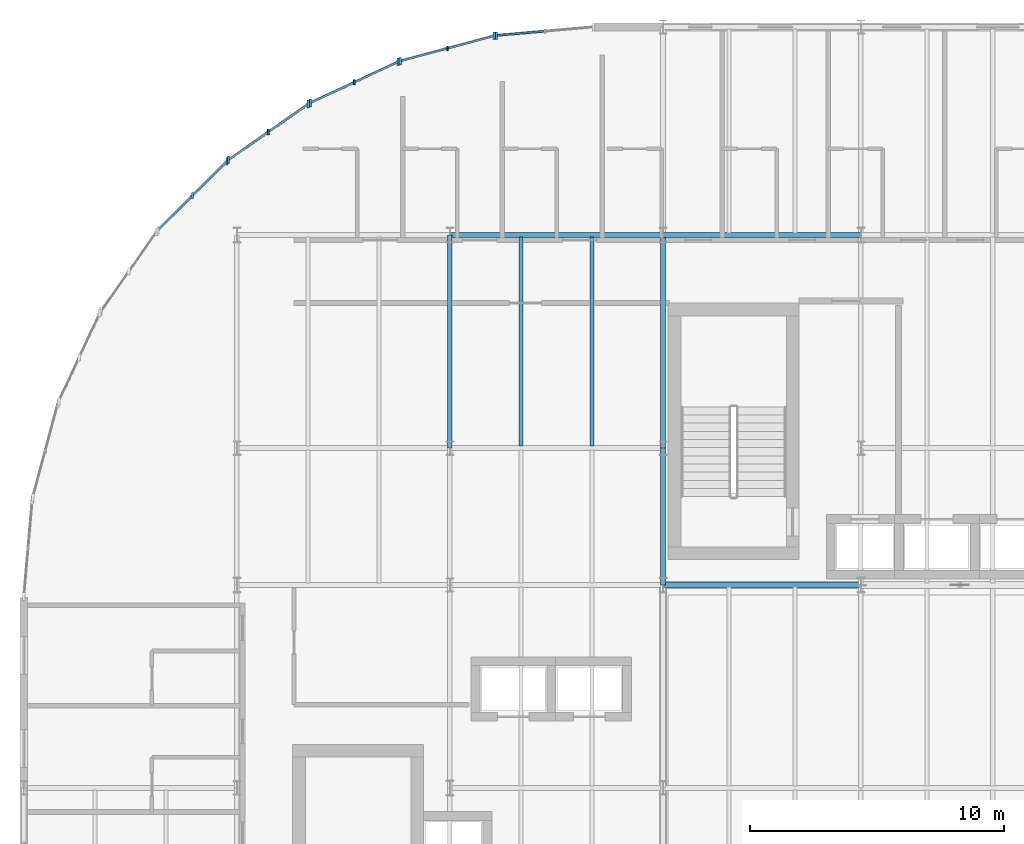
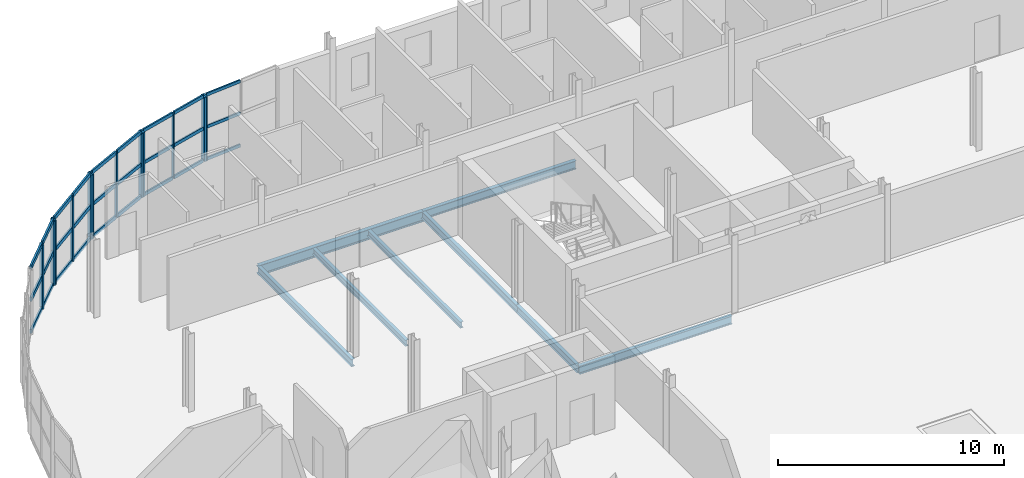
# One storey, part 21 of 58: 39 members, 8 beams, 5 elements without a shape of their own.
"""IFC4 building model written with IfcOpenShell, lengths in metres."""

import ifcopenshell
import ifcopenshell.guid

model = None  # the IFC model being written
_history = None  # IfcOwnerHistory: only IFC2X3 demands one
_inside = {}  # id of a spatial element -> (the spatial element, [elements in it])
_under = {}  # id of a project, library or spatial element -> (it, [spatial elements below it])
_declared = {}  # id of a project -> (the project, [libraries it declares])
_typed = {}  # id of a type object -> (the type object, [elements of that type])
_made_of = {}  # id of a material, layer set ... -> (it, [elements and type objects made of it])


def new_model(schema):
    """Start an empty IFC model of exactly this schema.

    Asked for "IFC4X3", IfcOpenShell would pick the latest addendum, in which some entities
    have other attributes; the version numbers below select the first issue.
    IFC2X3 requires an IfcOwnerHistory on every rooted entity: one is made here for all.
    """
    global model, _history
    if schema == "IFC4X3":
        model = ifcopenshell.file(schema_version=(4, 3, 0, 0))
    else:
        model = ifcopenshell.file(schema=schema)
    _inside.clear()
    _under.clear()
    _declared.clear()
    _typed.clear()
    _made_of.clear()
    _history = None
    if model.schema == "IFC2X3":
        org = make("IfcOrganization", Name="unknown")
        user = make(
            "IfcPersonAndOrganization",
            ThePerson=make("IfcPerson", FamilyName="unknown"),
            TheOrganization=org,
        )
        app = make(
            "IfcApplication",
            ApplicationDeveloper=org,
            Version="unknown",
            ApplicationFullName="unknown",
            ApplicationIdentifier="unknown",
        )
        _history = make(
            "IfcOwnerHistory",
            OwningUser=user,
            OwningApplication=app,
            ChangeAction="ADDED",
            CreationDate=0,
        )
    return model


def make(cls, **values):
    """One entity of the class cls with the attributes given. An attribute that is None is left unset."""
    return model.create_entity(
        cls, **{name: value for name, value in values.items() if value is not None}
    )


def rooted(cls, **values):
    """An entity with a GlobalId (a new one), such as an element, a storey or a relation."""
    return make(cls, GlobalId=ifcopenshell.guid.new(), OwnerHistory=_history, **values)


def si_unit(unit_type, name, prefix=None):
    """IfcSIUnit, for example si_unit("LENGTHUNIT", "METRE", prefix="MILLI")."""
    return make("IfcSIUnit", UnitType=unit_type, Prefix=prefix, Name=name)


def assignment(units):
    """IfcUnitAssignment: the units of a project."""
    return None if units is None else make("IfcUnitAssignment", Units=units)


def point(xyz):
    """IfcCartesianPoint."""
    return None if xyz is None else make("IfcCartesianPoint", Coordinates=xyz)


def direction(xyz):
    """IfcDirection."""
    return None if xyz is None else make("IfcDirection", DirectionRatios=xyz)


def frame(location, z_axis=None, x_axis=None):
    """IfcAxis2Placement3D, a coordinate frame: its origin and axes. An axis left out is left unset."""
    return make(
        "IfcAxis2Placement3D",
        Location=point(location),
        Axis=direction(z_axis),
        RefDirection=direction(x_axis),
    )


def frame_2d(location, x_axis=None):
    """IfcAxis2Placement2D, a coordinate frame in the plane: its origin and x axis."""
    return make(
        "IfcAxis2Placement2D", Location=point(location), RefDirection=direction(x_axis)
    )


def origin():
    """The frame at (0, 0, 0) with its axes left unset."""
    return frame((0.0, 0.0, 0.0))


def origin_2d():
    """The frame at (0, 0) in the plane with its x axis left unset."""
    return frame_2d((0.0, 0.0))


def place(relative_to, where):
    """IfcLocalPlacement: puts the frame where relative to a parent placement (None: the world)."""
    return make(
        "IfcLocalPlacement", PlacementRelTo=relative_to, RelativePlacement=where
    )


def context(
    kind, dimensions, precision=None, world=None, true_north=None, identifier=None
):
    """IfcGeometricRepresentationContext, for example the 3D "Model" context."""
    return make(
        "IfcGeometricRepresentationContext",
        ContextIdentifier=identifier,
        ContextType=kind,
        CoordinateSpaceDimension=dimensions,
        Precision=precision,
        WorldCoordinateSystem=world,
        TrueNorth=true_north,
    )


def subcontext(parent, identifier, kind, view, scale=None):
    """IfcGeometricRepresentationSubContext, for example "Body" below "Model"."""
    return make(
        "IfcGeometricRepresentationSubContext",
        ContextIdentifier=identifier,
        ContextType=kind,
        ParentContext=parent,
        TargetScale=scale,
        TargetView=view,
    )


def project(units=None, contexts=None):
    """IfcProject with its units and contexts."""
    return rooted(
        "IfcProject",
        Name="project",
        RepresentationContexts=contexts,
        UnitsInContext=assignment(units),
    )


def spatial(cls, under=None, at=None, **own):
    """A site, building, storey or space (cls), placed at a placement, below another one or the project."""
    s = rooted(cls, ObjectPlacement=at, **own)
    if under is not None:
        _under.setdefault(under.id(), (under, []))[1].append(s)
    return s


def profile(cls, at=None, kind="AREA", **sizes):
    """A parametric profile (cls). Its sizes go by their IFC names, for example OverallWidth=200.0."""
    return make(cls, ProfileType=kind, Position=at, **sizes)


def rectangle(**sizes):
    """IfcRectangleProfileDef."""
    return profile("IfcRectangleProfileDef", **sizes)


def i_section(**sizes):
    """IfcIShapeProfileDef."""
    return profile("IfcIShapeProfileDef", **sizes)


def extrude(swept, where, along, depth):
    """IfcExtrudedAreaSolid: the profile swept, set in the frame where, extruded along a direction by depth."""
    return make(
        "IfcExtrudedAreaSolid",
        SweptArea=swept,
        Position=where,
        ExtrudedDirection=direction(along),
        Depth=depth,
    )


def shape(context_of_items, identifier, shape_type, items):
    """IfcShapeRepresentation: the items that make up one representation, for example the "Body"."""
    return make(
        "IfcShapeRepresentation",
        ContextOfItems=context_of_items,
        RepresentationIdentifier=identifier,
        RepresentationType=shape_type,
        Items=items,
    )


def material(Name=None, Category=None):
    """IfcMaterial."""
    return make("IfcMaterial", Name=Name, Category=Category)


def layer(
    of_material, thickness, ventilated=None, Name=None, Category=None, Priority=None
):
    """IfcMaterialLayer: one layer of a wall or slab, of a material (None: an air gap)."""
    return make(
        "IfcMaterialLayer",
        Material=of_material,
        LayerThickness=thickness,
        IsVentilated=ventilated,
        Name=Name,
        Category=Category,
        Priority=Priority,
    )


def layer_set(layers, Name=None):
    """IfcMaterialLayerSet."""
    return make("IfcMaterialLayerSet", MaterialLayers=layers, LayerSetName=Name)


def material_profile(
    of_material, cross_section, Name=None, Category=None, Priority=None
):
    """IfcMaterialProfile: a cross section and its material."""
    return make(
        "IfcMaterialProfile",
        Name=Name,
        Material=of_material,
        Profile=cross_section,
        Priority=Priority,
        Category=Category,
    )


def profile_set(profiles, Name=None, composite=None):
    """IfcMaterialProfileSet."""
    return make(
        "IfcMaterialProfileSet",
        Name=Name,
        MaterialProfiles=profiles,
        CompositeProfile=composite,
    )


def made_of(thing, what):
    """Note that an element or type object is made of a material, layer set ...; save() writes the relation."""
    if what is not None:
        _made_of.setdefault(what.id(), (what, []))[1].append(thing)
    return thing


def type_object(cls, material=None, **own):
    """A type object (cls), such as IfcWallType, which elements share."""
    return made_of(rooted(cls, **own), material)


def element(
    cls,
    number,
    at=None,
    inside=None,
    cuts=None,
    type_object=None,
    material=None,
    context=None,
    identifier="Body",
    shape_type=None,
    held_by="IfcProductDefinitionShape",
    body=None,
    shapes=None,
    **own,
):
    """One element of the class cls, such as IfcWall. Its Tag is "e" and its number.

    at: its placement. inside: the storey or other place that contains it. cuts: it is an
    opening in that element (IfcRelVoidsElement). A single representation is given by context,
    identifier, shape_type and body (its items); several are given by shapes. held_by: the class
    of the entity that holds the representations. save() writes the other relations.
    """
    e = rooted(cls, Tag="e%d" % number, ObjectPlacement=at, **own)
    if body is not None:
        shapes = [shape(context, identifier, shape_type, body)]
    if shapes is not None:
        e.Representation = make(held_by, Representations=shapes)
    if inside is not None:
        _inside.setdefault(inside.id(), (inside, []))[1].append(e)
    if cuts is not None:
        rooted(
            "IfcRelVoidsElement", RelatingBuildingElement=cuts, RelatedOpeningElement=e
        )
    if type_object is not None:
        _typed.setdefault(type_object.id(), (type_object, []))[1].append(e)
    return made_of(e, material)


def aggregate(whole, parts):
    """IfcRelAggregates: a whole, such as a stair, and the parts it consists of."""
    return rooted("IfcRelAggregates", RelatingObject=whole, RelatedObjects=parts)


def save(model, path):
    """Write the relations noted so far, then the file.

    IfcRelAggregates (storeys below a building ...), IfcRelContainedInSpatialStructure (elements
    in a storey), IfcRelDefinesByType, IfcRelAssociatesMaterial and IfcRelDeclares: one each for
    every whole, place, type object, material and project.
    """
    for whole, parts in _under.values():
        aggregate(whole, parts)
    for where, things in _inside.values():
        rooted(
            "IfcRelContainedInSpatialStructure",
            RelatedElements=things,
            RelatingStructure=where,
        )
    for kind, things in _typed.values():
        rooted("IfcRelDefinesByType", RelatedObjects=things, RelatingType=kind)
    for what, things in _made_of.values():
        rooted("IfcRelAssociatesMaterial", RelatedObjects=things, RelatingMaterial=what)
    for by, libraries in _declared.values():
        rooted("IfcRelDeclares", RelatingContext=by, RelatedDefinitions=libraries)
    model.write(path)


model = new_model("IFC4")

# Units and contexts
model_context = context("Model", 3, precision=1e-05, world=origin(), true_north=direction((0.0, 1.0)))
body_context = subcontext(model_context, "Body", "Model", "MODEL_VIEW")
ifc_project = project(units=[si_unit("LENGTHUNIT", "METRE"), si_unit("AREAUNIT", "SQUARE_METRE"), si_unit("VOLUMEUNIT", "CUBIC_METRE"), si_unit("PLANEANGLEUNIT", "RADIAN"), si_unit("MASSUNIT", "GRAM", prefix="KILO")], contexts=[model_context])

# Site, building, storey
site_placement = place(None, origin())
site = spatial("IfcSite", under=ifc_project, at=site_placement, CompositionType="ELEMENT")
building_placement = place(site_placement, origin())
building = spatial("IfcBuilding", under=site, at=building_placement, Name="Sefraquen Railside Congress Hotel", CompositionType="ELEMENT")
storey_placement = place(building_placement, frame((0.0, 0.0, 16.199951171875)))
storey = spatial("IfcBuildingStorey", under=building, at=storey_placement, Name="L03", CompositionType="ELEMENT", Elevation=16.199951171875)

# Beams
ifc_material_1 = material(Name="Steel S355JR", Category="steel")
ifc_material_profile_1 = material_profile(ifc_material_1, i_section(OverallWidth=0.179931640625, OverallDepth=0.39990234375, WebThickness=0.008544921875, FlangeThickness=0.013427734375, FilletRadius=0.02099609375, at=origin_2d()), Name="IPE 400")
ifc_profile_set_1 = profile_set([ifc_material_profile_1], Name="Steel S355JR")
beam_type_1 = type_object("IfcBeamType", Name="TB-BM-400I", PredefinedType="BEAM", material=ifc_profile_set_1)
beam_1_placement = place(storey_placement, frame((16.800048828125, 101.39990234375, -0.47998046875), z_axis=(0.0, 1.0, 0.0), x_axis=(-1.0, 0.0, 0.0)))
element("IfcBeam", 1, at=beam_1_placement, inside=storey, type_object=beam_type_1, Name="Floor beam BM-L03-1143", PredefinedType="BEAM", context=body_context, shape_type="SweptSolid", body=[
    extrude(i_section(OverallWidth=0.179931640625, OverallDepth=0.39990234375, WebThickness=0.008544921875, FlangeThickness=0.013427734375, FilletRadius=0.02099609375, at=origin_2d()), origin(), (0.0, 0.0, 1.0), 8.400146484375),
])
beam_2_placement = place(storey_placement, frame((25.199951171875, 96.0, -0.47998046875), z_axis=(0.0, 1.0, 0.0), x_axis=(-1.0, 0.0, 0.0)))
element("IfcBeam", 2, at=beam_2_placement, inside=storey, type_object=beam_type_1, Name="Floor beam BM-L03-1149", PredefinedType="BEAM", context=body_context, shape_type="SweptSolid", body=[
    extrude(i_section(OverallWidth=0.179931640625, OverallDepth=0.39990234375, WebThickness=0.008544921875, FlangeThickness=0.013427734375, FilletRadius=0.02099609375, at=origin_2d()), origin(), (0.0, 0.0, 1.0), 5.39990234375),
])
beam_3_placement = place(storey_placement, frame((25.199951171875, 101.39990234375, -0.47998046875), z_axis=(0.0, 1.0, 0.0), x_axis=(-1.0, 0.0, 0.0)))
element("IfcBeam", 3, at=beam_3_placement, inside=storey, type_object=beam_type_1, Name="Floor beam BM-L03-1150", PredefinedType="BEAM", context=body_context, shape_type="SweptSolid", body=[
    extrude(i_section(OverallWidth=0.179931640625, OverallDepth=0.39990234375, WebThickness=0.008544921875, FlangeThickness=0.013427734375, FilletRadius=0.02099609375, at=origin_2d()), origin(), (0.0, 0.0, 1.0), 8.400146484375),
])
ifc_material_profile_2 = material_profile(ifc_material_1, i_section(OverallWidth=0.18994140625, OverallDepth=0.449951171875, WebThickness=0.009521484375, FlangeThickness=0.0146484375, FilletRadius=0.02099609375, at=origin_2d()), Name="IPE 450")
ifc_profile_set_2 = profile_set([ifc_material_profile_2], Name="Steel S355JR")
beam_type_2 = type_object("IfcBeamType", Name="TB-BM-450", PredefinedType="BEAM", material=ifc_profile_set_2)
for number, where, z_axis, x_axis, name in (
    (4, (25.199951171875, 96.0, -0.5048828125), (1.0, 0.0, 0.0), (0.0, 1.0, 0.0), "Primary girder BM-L03-1073"),
    (5, (25.199951171875, 109.800048828125, -0.5048828125), (1.0, 0.0, 0.0), (0.0, 1.0, 0.0), "Primary girder BM-L03-1105"),
):
    element("IfcBeam", number, at=place(storey_placement, frame(where, z_axis=z_axis, x_axis=x_axis)), inside=storey, type_object=beam_type_2, Name=name, PredefinedType="BEAM", context=body_context, shape_type="SweptSolid", body=[
        extrude(i_section(OverallWidth=0.18994140625, OverallDepth=0.449951171875, WebThickness=0.009521484375, FlangeThickness=0.0146484375, FilletRadius=0.02099609375, at=origin_2d()), origin(), (0.0, 0.0, 1.0), 7.800048828125),
    ])
ifc_material_profile_3 = material_profile(ifc_material_1, i_section(OverallWidth=0.2099609375, OverallDepth=0.550048828125, WebThickness=0.010986328125, FlangeThickness=0.01708984375, FilletRadius=0.02392578125, at=origin_2d()), Name="IPE 550")
ifc_profile_set_3 = profile_set([ifc_material_profile_3], Name="Steel S355JR")
beam_type_3 = type_object("IfcBeamType", Name="TB-GIR-550", PredefinedType="T_BEAM", material=ifc_profile_set_3)
beam_4_placement = place(storey_placement, frame((16.800048828125, 109.800048828125, -0.554931640625), z_axis=(1.0, 0.0, 0.0), x_axis=(0.0, 1.0, 0.0)))
element("IfcBeam", 6, at=beam_4_placement, inside=storey, type_object=beam_type_3, Name="Primary girder BM-L03-1104", PredefinedType="T_BEAM", context=body_context, shape_type="SweptSolid", body=[
    extrude(i_section(OverallWidth=0.2099609375, OverallDepth=0.550048828125, WebThickness=0.010986328125, FlangeThickness=0.01708984375, FilletRadius=0.02392578125, at=origin_2d()), origin(), (0.0, 0.0, 1.0), 8.39990234375),
])
ifc_material_profile_4 = material_profile(ifc_material_1, i_section(OverallWidth=0.159912109375, OverallDepth=0.330078125, WebThickness=0.007568359375, FlangeThickness=0.011474609375, FilletRadius=0.01806640625, at=origin_2d()), Name="IPE 330")
ifc_profile_set_4 = profile_set([ifc_material_profile_4], Name="Steel S355JR")
beam_type_4 = type_object("IfcBeamType", Name="TB-JST-330", PredefinedType="JOIST", material=ifc_profile_set_4)
for number, where, z_axis, x_axis, name in (
    (7, (19.60009765625, 101.485107421875, -0.445068359375), (0.0, 1.0, 0.0), (-1.0, 0.0, 0.0), "Composite floor joist BM-L03-J0676"),
    (8, (22.39990234375, 101.485107421875, -0.445068359375), (0.0, 1.0, 0.0), (-1.0, 0.0, 0.0), "Composite floor joist BM-L03-J0677"),
):
    element("IfcBeam", number, at=place(storey_placement, frame(where, z_axis=z_axis, x_axis=x_axis)), inside=storey, type_object=beam_type_4, Name=name, PredefinedType="JOIST", context=body_context, shape_type="SweptSolid", body=[
        extrude(i_section(OverallWidth=0.159912109375, OverallDepth=0.330078125, WebThickness=0.007568359375, FlangeThickness=0.011474609375, FilletRadius=0.01806640625, at=origin_2d()), origin(), (0.0, 0.0, 1.0), 8.22998046875),
    ])

# Curtain wall, member
ifc_material_2 = material(Name="Thermally broken anodised aluminium and low-E double glazing", Category="aluminium")
ifc_layer_1 = layer(ifc_material_2, 0.199951171875)
ifc_layer_set_1 = layer_set([ifc_layer_1], Name="Thermally broken anodised aluminium and low-E double glazing")
curtain_wall_type_1 = type_object("IfcCurtainWallType", Name="TCW-UCW-29", PredefinedType="USERDEFINED", material=ifc_layer_set_1)
curtain_wall_1_placement = place(storey_placement, origin())
curtain_wall_1 = element("IfcCurtainWall", 9, at=curtain_wall_1_placement, inside=storey, type_object=curtain_wall_type_1, Name="Rotunda L03 curved curtain wall facet 2", ObjectType="UNITISED CURTAIN WALL", PredefinedType="USERDEFINED")
ifc_material_3 = material(Name="Thermally broken anodised aluminium 6063-T6", Category="aluminium")
ifc_material_profile_5 = material_profile(ifc_material_3, rectangle(XDim=0.06494140625, YDim=0.179931640625, at=origin_2d()), Name="CWM 65x180")
ifc_profile_set_5 = profile_set([ifc_material_profile_5], Name="Thermally broken anodised aluminium 6063-T6")
member_type_1 = type_object("IfcMemberType", Name="TM-CWM-02", PredefinedType="MULLION", material=ifc_profile_set_5)
member_1_placement = place(storey_placement, frame((16.69873046875, 117.150634765625, 0.0), z_axis=(0.0, 0.0, 1.0), x_axis=(1.0, 0.0, 0.0)))
member_1 = element("IfcMember", 10, at=member_1_placement, type_object=member_type_1, Name="CW-L03-ROT-02 mullion 2", PredefinedType="MULLION", context=body_context, shape_type="SweptSolid", body=[
    extrude(rectangle(XDim=0.06494140625, YDim=0.179931640625, at=origin_2d()), origin(), (0.0, 0.0, 1.0), 3.469970703125),
])

ifc_layer_2 = layer(ifc_material_2, 0.199951171875)
ifc_layer_set_2 = layer_set([ifc_layer_2], Name="Thermally broken anodised aluminium and low-E double glazing")
curtain_wall_type_2 = type_object("IfcCurtainWallType", Name="TCW-UCW-30", PredefinedType="USERDEFINED", material=ifc_layer_set_2)
curtain_wall_2_placement = place(storey_placement, origin())
curtain_wall_2 = element("IfcCurtainWall", 11, at=curtain_wall_2_placement, inside=storey, type_object=curtain_wall_type_2, Name="Rotunda L03 curved curtain wall facet 3", ObjectType="UNITISED CURTAIN WALL", PredefinedType="USERDEFINED")
ifc_material_profile_6 = material_profile(ifc_material_3, rectangle(XDim=0.070068359375, YDim=0.199951171875, at=origin_2d()), Name="CWM 70x200")
ifc_profile_set_6 = profile_set([ifc_material_profile_6], Name="Thermally broken anodised aluminium 6063-T6")
member_type_2 = type_object("IfcMemberType", Name="TM-CWM-03", PredefinedType="MULLION", material=ifc_profile_set_6)
member_2_placement = place(storey_placement, frame((13.02734375, 115.814208984375, 0.0), z_axis=(0.0, 0.0, 1.0), x_axis=(1.0, 0.0, 0.0)))
member_2 = element("IfcMember", 12, at=member_2_placement, type_object=member_type_2, Name="CW-L03-ROT-03 mullion 2", PredefinedType="MULLION", context=body_context, shape_type="SweptSolid", body=[
    extrude(rectangle(XDim=0.070068359375, YDim=0.199951171875, at=origin_2d()), origin(), (0.0, 0.0, 1.0), 3.469970703125),
])

ifc_layer_3 = layer(ifc_material_2, 0.199951171875)
ifc_layer_set_3 = layer_set([ifc_layer_3], Name="Thermally broken anodised aluminium and low-E double glazing")
curtain_wall_type_3 = type_object("IfcCurtainWallType", Name="TCW-UCW-31", PredefinedType="USERDEFINED", material=ifc_layer_set_3)
curtain_wall_3_placement = place(storey_placement, origin())
curtain_wall_3 = element("IfcCurtainWall", 13, at=curtain_wall_3_placement, inside=storey, type_object=curtain_wall_type_3, Name="Rotunda L03 curved curtain wall facet 4", ObjectType="UNITISED CURTAIN WALL", PredefinedType="USERDEFINED")
ifc_material_profile_7 = material_profile(ifc_material_3, rectangle(XDim=0.074951171875, YDim=0.219970703125, at=origin_2d()), Name="CWM 75x220")
ifc_profile_set_7 = profile_set([ifc_material_profile_7], Name="Thermally broken anodised aluminium 6063-T6")
member_type_3 = type_object("IfcMemberType", Name="TM-CWM-04", PredefinedType="MULLION", material=ifc_profile_set_7)
member_3_placement = place(storey_placement, frame((9.643798828125, 113.86083984375, 0.0), z_axis=(0.0, 0.0, 1.0), x_axis=(1.0, 0.0, 0.0)))
member_3 = element("IfcMember", 14, at=member_3_placement, type_object=member_type_3, Name="CW-L03-ROT-04 mullion 2", PredefinedType="MULLION", context=body_context, shape_type="SweptSolid", body=[
    extrude(rectangle(XDim=0.074951171875, YDim=0.219970703125, at=origin_2d()), origin(), (0.0, 0.0, 1.0), 3.469970703125),
])

ifc_layer_4 = layer(ifc_material_2, 0.199951171875)
ifc_layer_set_4 = layer_set([ifc_layer_4], Name="Thermally broken anodised aluminium and low-E double glazing")
curtain_wall_type_4 = type_object("IfcCurtainWallType", Name="TCW-UCW-32", PredefinedType="USERDEFINED", material=ifc_layer_set_4)
curtain_wall_4_placement = place(storey_placement, origin())
curtain_wall_4 = element("IfcCurtainWall", 15, at=curtain_wall_4_placement, inside=storey, type_object=curtain_wall_type_4, Name="Rotunda L03 curved curtain wall facet 5", ObjectType="UNITISED CURTAIN WALL", PredefinedType="USERDEFINED")
ifc_material_profile_8 = material_profile(ifc_material_3, rectangle(XDim=0.080078125, YDim=0.239990234375, at=origin_2d()), Name="CWM 80x240")
ifc_profile_set_8 = profile_set([ifc_material_profile_8], Name="Thermally broken anodised aluminium 6063-T6")
member_type_4 = type_object("IfcMemberType", Name="TM-CWM-05", PredefinedType="MULLION", material=ifc_profile_set_8)
member_4_placement = place(storey_placement, frame((6.650634765625, 111.349365234375, 0.0), z_axis=(0.0, 0.0, 1.0), x_axis=(1.0, 0.0, 0.0)))
member_4 = element("IfcMember", 16, at=member_4_placement, type_object=member_type_4, Name="CW-L03-ROT-05 mullion 2", PredefinedType="MULLION", context=body_context, shape_type="SweptSolid", body=[
    extrude(rectangle(XDim=0.080078125, YDim=0.239990234375, at=origin_2d()), origin(), (0.0, 0.0, 1.0), 3.469970703125),
])

ifc_layer_5 = layer(ifc_material_2, 0.199951171875)
ifc_layer_set_5 = layer_set([ifc_layer_5], Name="Thermally broken anodised aluminium and low-E double glazing")
curtain_wall_type_5 = type_object("IfcCurtainWallType", Name="TCW-UCW-28", PredefinedType="USERDEFINED", material=ifc_layer_set_5)
curtain_wall_5_placement = place(storey_placement, origin())
curtain_wall_5 = element("IfcCurtainWall", 17, at=curtain_wall_5_placement, inside=storey, type_object=curtain_wall_type_5, Name="Rotunda L03 curved curtain wall facet 1", ObjectType="UNITISED CURTAIN WALL", PredefinedType="USERDEFINED")
ifc_material_profile_9 = material_profile(ifc_material_3, rectangle(XDim=0.094970703125, YDim=0.300048828125, at=origin_2d()), Name="CWM 95x300")
ifc_profile_set_9 = profile_set([ifc_material_profile_9], Name="Thermally broken anodised aluminium 6063-T6")
member_type_5 = type_object("IfcMemberType", Name="TM-CWM-08", PredefinedType="MULLION", material=ifc_profile_set_9)
member_5_placement = place(storey_placement, frame((18.6328125, 117.66162109375, 0.0), z_axis=(0.0, 0.0, 1.0), x_axis=(1.0, 0.0, 0.0)))
member_5 = element("IfcMember", 18, at=member_5_placement, type_object=member_type_5, Name="CW-L03-ROT-01 mullion 3", PredefinedType="MULLION", context=body_context, shape_type="SweptSolid", body=[
    extrude(rectangle(XDim=0.094970703125, YDim=0.300048828125, at=origin_2d()), origin(), (0.0, 0.0, 1.0), 3.469970703125),
])

# Member
member_6_placement = place(storey_placement, frame((18.55419921875, 117.647705078125, 0.0), z_axis=(0.0, 0.0, 1.0), x_axis=(1.0, 0.0, 0.0)))
member_6 = element("IfcMember", 19, at=member_6_placement, type_object=member_type_5, Name="CW-L03-ROT-02 mullion 1", PredefinedType="MULLION", context=body_context, shape_type="SweptSolid", body=[
    extrude(rectangle(XDim=0.094970703125, YDim=0.300048828125, at=origin_2d()), origin(), (0.0, 0.0, 1.0), 3.469970703125),
])

member_7_placement = place(storey_placement, frame((14.843017578125, 116.653564453125, 0.0), z_axis=(0.0, 0.0, 1.0), x_axis=(1.0, 0.0, 0.0)))
member_7 = element("IfcMember", 20, at=member_7_placement, type_object=member_type_5, Name="CW-L03-ROT-02 mullion 3", PredefinedType="MULLION", context=body_context, shape_type="SweptSolid", body=[
    extrude(rectangle(XDim=0.094970703125, YDim=0.300048828125, at=origin_2d()), origin(), (0.0, 0.0, 1.0), 3.469970703125),
])

member_8_placement = place(storey_placement, frame((14.768310546875, 116.626220703125, 0.0), z_axis=(0.0, 0.0, 1.0), x_axis=(1.0, 0.0, 0.0)))
member_8 = element("IfcMember", 21, at=member_8_placement, type_object=member_type_5, Name="CW-L03-ROT-03 mullion 1", PredefinedType="MULLION", context=body_context, shape_type="SweptSolid", body=[
    extrude(rectangle(XDim=0.094970703125, YDim=0.300048828125, at=origin_2d()), origin(), (0.0, 0.0, 1.0), 3.469970703125),
])

member_9_placement = place(storey_placement, frame((11.286376953125, 115.00244140625, 0.0), z_axis=(0.0, 0.0, 1.0), x_axis=(1.0, 0.0, 0.0)))
member_9 = element("IfcMember", 22, at=member_9_placement, type_object=member_type_5, Name="CW-L03-ROT-03 mullion 3", PredefinedType="MULLION", context=body_context, shape_type="SweptSolid", body=[
    extrude(rectangle(XDim=0.094970703125, YDim=0.300048828125, at=origin_2d()), origin(), (0.0, 0.0, 1.0), 3.469970703125),
])

member_10_placement = place(storey_placement, frame((11.21728515625, 114.962646484375, 0.0), z_axis=(0.0, 0.0, 1.0), x_axis=(1.0, 0.0, 0.0)))
member_10 = element("IfcMember", 23, at=member_10_placement, type_object=member_type_5, Name="CW-L03-ROT-04 mullion 1", PredefinedType="MULLION", context=body_context, shape_type="SweptSolid", body=[
    extrude(rectangle(XDim=0.094970703125, YDim=0.300048828125, at=origin_2d()), origin(), (0.0, 0.0, 1.0), 3.469970703125),
])

member_11_placement = place(storey_placement, frame((8.070068359375, 112.7587890625, 0.0), z_axis=(0.0, 0.0, 1.0), x_axis=(1.0, 0.0, 0.0)))
member_11 = element("IfcMember", 24, at=member_11_placement, type_object=member_type_5, Name="CW-L03-ROT-04 mullion 3", PredefinedType="MULLION", context=body_context, shape_type="SweptSolid", body=[
    extrude(rectangle(XDim=0.094970703125, YDim=0.300048828125, at=origin_2d()), origin(), (0.0, 0.0, 1.0), 3.469970703125),
])

member_12_placement = place(storey_placement, frame((8.009033203125, 112.707763671875, 0.0), z_axis=(0.0, 0.0, 1.0), x_axis=(1.0, 0.0, 0.0)))
member_12 = element("IfcMember", 25, at=member_12_placement, type_object=member_type_5, Name="CW-L03-ROT-05 mullion 1", PredefinedType="MULLION", context=body_context, shape_type="SweptSolid", body=[
    extrude(rectangle(XDim=0.094970703125, YDim=0.300048828125, at=origin_2d()), origin(), (0.0, 0.0, 1.0), 3.469970703125),
])

ifc_material_profile_10 = material_profile(ifc_material_3, rectangle(XDim=0.074951171875, YDim=0.1650390625, at=origin_2d()), Name="CWT 75x165")
ifc_profile_set_10 = profile_set([ifc_material_profile_10], Name="Thermally broken anodised aluminium 6063-T6")
member_type_6 = type_object("IfcMemberType", Name="TM-CWT-04", PredefinedType="USERDEFINED", material=ifc_profile_set_10)
member_13_placement = place(storey_placement, frame((20.501708984375, 117.8251953125, 0.0), z_axis=(-0.996191401715, -0.087193412302, 0.0), x_axis=(0.087193412302, -0.996191401715, 0.0)))
member_13 = element("IfcMember", 26, at=member_13_placement, type_object=member_type_6, Name="CW-L03-ROT-01 transom 1.2", ObjectType="TRANSOM", PredefinedType="USERDEFINED", context=body_context, shape_type="SweptSolid", body=[
    extrude(rectangle(XDim=0.074951171875, YDim=0.1650390625, at=origin_2d()), origin(), (0.0, 0.0, 1.0), 1.831298828125),
])

member_14_placement = place(storey_placement, frame((20.501708984375, 117.8251953125, 1.735107421875), z_axis=(-0.996191401715, -0.087193412302, 0.0), x_axis=(0.087193412302, -0.996191401715, 0.0)))
member_14 = element("IfcMember", 27, at=member_14_placement, type_object=member_type_6, Name="CW-L03-ROT-01 transom 2.2", ObjectType="TRANSOM", PredefinedType="USERDEFINED", context=body_context, shape_type="SweptSolid", body=[
    extrude(rectangle(XDim=0.074951171875, YDim=0.1650390625, at=origin_2d()), origin(), (0.0, 0.0, 1.0), 1.831298828125),
])

member_15_placement = place(storey_placement, frame((20.501708984375, 117.8251953125, 3.469970703125), z_axis=(-0.996191401715, -0.087193412302, 0.0), x_axis=(0.087193412302, -0.996191401715, 0.0)))
member_15 = element("IfcMember", 28, at=member_15_placement, type_object=member_type_6, Name="CW-L03-ROT-01 transom 3.2", ObjectType="TRANSOM", PredefinedType="USERDEFINED", context=body_context, shape_type="SweptSolid", body=[
    extrude(rectangle(XDim=0.074951171875, YDim=0.1650390625, at=origin_2d()), origin(), (0.0, 0.0, 1.0), 1.831298828125),
])

aggregate(curtain_wall_5, [member_5, member_13, member_14, member_15])

ifc_material_profile_11 = material_profile(ifc_material_3, rectangle(XDim=0.080078125, YDim=0.179931640625, at=origin_2d()), Name="CWT 80x180")
ifc_profile_set_11 = profile_set([ifc_material_profile_11], Name="Thermally broken anodised aluminium 6063-T6")
member_type_7 = type_object("IfcMemberType", Name="TM-CWT-05", PredefinedType="USERDEFINED", material=ifc_profile_set_11)
member_16_placement = place(storey_placement, frame((18.5107421875, 117.63623046875, 0.0), z_axis=(-0.965893282759, -0.25894046868, 0.0), x_axis=(0.25894046868, -0.965893282759, 0.0)))
member_16 = element("IfcMember", 29, at=member_16_placement, type_object=member_type_7, Name="CW-L03-ROT-02 transom 1.1", ObjectType="TRANSOM", PredefinedType="USERDEFINED", context=body_context, shape_type="SweptSolid", body=[
    extrude(rectangle(XDim=0.080078125, YDim=0.179931640625, at=origin_2d()), origin(), (0.0, 0.0, 1.0), 1.8310546875),
])

member_17_placement = place(storey_placement, frame((16.6552734375, 117.138916015625, 0.0), z_axis=(-0.965926624666, -0.258816065499, 0.0), x_axis=(0.258816065499, -0.965926624666, 0.0)))
member_17 = element("IfcMember", 30, at=member_17_placement, type_object=member_type_7, Name="CW-L03-ROT-02 transom 1.2", ObjectType="TRANSOM", PredefinedType="USERDEFINED", context=body_context, shape_type="SweptSolid", body=[
    extrude(rectangle(XDim=0.080078125, YDim=0.179931640625, at=origin_2d()), origin(), (0.0, 0.0, 1.0), 1.8310546875),
])

member_18_placement = place(storey_placement, frame((18.5107421875, 117.63623046875, 1.735107421875), z_axis=(-0.965893282759, -0.25894046868, 0.0), x_axis=(0.25894046868, -0.965893282759, 0.0)))
member_18 = element("IfcMember", 31, at=member_18_placement, type_object=member_type_7, Name="CW-L03-ROT-02 transom 2.1", ObjectType="TRANSOM", PredefinedType="USERDEFINED", context=body_context, shape_type="SweptSolid", body=[
    extrude(rectangle(XDim=0.080078125, YDim=0.179931640625, at=origin_2d()), origin(), (0.0, 0.0, 1.0), 1.8310546875),
])

member_19_placement = place(storey_placement, frame((16.6552734375, 117.138916015625, 1.735107421875), z_axis=(-0.965926624666, -0.258816065499, 0.0), x_axis=(0.258816065499, -0.965926624666, 0.0)))
member_19 = element("IfcMember", 32, at=member_19_placement, type_object=member_type_7, Name="CW-L03-ROT-02 transom 2.2", ObjectType="TRANSOM", PredefinedType="USERDEFINED", context=body_context, shape_type="SweptSolid", body=[
    extrude(rectangle(XDim=0.080078125, YDim=0.179931640625, at=origin_2d()), origin(), (0.0, 0.0, 1.0), 1.8310546875),
])

member_20_placement = place(storey_placement, frame((18.5107421875, 117.63623046875, 3.469970703125), z_axis=(-0.965893282759, -0.25894046868, 0.0), x_axis=(0.25894046868, -0.965893282759, 0.0)))
member_20 = element("IfcMember", 33, at=member_20_placement, type_object=member_type_7, Name="CW-L03-ROT-02 transom 3.1", ObjectType="TRANSOM", PredefinedType="USERDEFINED", context=body_context, shape_type="SweptSolid", body=[
    extrude(rectangle(XDim=0.080078125, YDim=0.179931640625, at=origin_2d()), origin(), (0.0, 0.0, 1.0), 1.8310546875),
])

member_21_placement = place(storey_placement, frame((16.6552734375, 117.138916015625, 3.469970703125), z_axis=(-0.965926624666, -0.258816065499, 0.0), x_axis=(0.258816065499, -0.965926624666, 0.0)))
member_21 = element("IfcMember", 34, at=member_21_placement, type_object=member_type_7, Name="CW-L03-ROT-02 transom 3.2", ObjectType="TRANSOM", PredefinedType="USERDEFINED", context=body_context, shape_type="SweptSolid", body=[
    extrude(rectangle(XDim=0.080078125, YDim=0.179931640625, at=origin_2d()), origin(), (0.0, 0.0, 1.0), 1.8310546875),
])

aggregate(curtain_wall_1, [member_6, member_1, member_7, member_16, member_17, member_18, member_19, member_20, member_21])

ifc_material_profile_12 = material_profile(ifc_material_3, rectangle(XDim=0.0849609375, YDim=0.195068359375, at=origin_2d()), Name="CWT 85x195")
ifc_profile_set_12 = profile_set([ifc_material_profile_12], Name="Thermally broken anodised aluminium 6063-T6")
member_type_8 = type_object("IfcMemberType", Name="TM-CWT-06", PredefinedType="USERDEFINED", material=ifc_profile_set_12)
member_22_placement = place(storey_placement, frame((14.727294921875, 116.607177734375, 0.0), z_axis=(-0.906309158253, -0.422615321145, 0.0), x_axis=(0.422615321145, -0.906309158253, 0.0)))
member_22 = element("IfcMember", 35, at=member_22_placement, type_object=member_type_8, Name="CW-L03-ROT-03 transom 1.1", ObjectType="TRANSOM", PredefinedType="USERDEFINED", context=body_context, shape_type="SweptSolid", body=[
    extrude(rectangle(XDim=0.0849609375, YDim=0.195068359375, at=origin_2d()), origin(), (0.0, 0.0, 1.0), 1.830810546875),
])

member_23_placement = place(storey_placement, frame((12.986572265625, 115.79541015625, 0.0), z_axis=(-0.906281900386, -0.422673771403, 0.0), x_axis=(0.422673771403, -0.906281900386, 0.0)))
member_23 = element("IfcMember", 36, at=member_23_placement, type_object=member_type_8, Name="CW-L03-ROT-03 transom 1.2", ObjectType="TRANSOM", PredefinedType="USERDEFINED", context=body_context, shape_type="SweptSolid", body=[
    extrude(rectangle(XDim=0.0849609375, YDim=0.195068359375, at=origin_2d()), origin(), (0.0, 0.0, 1.0), 1.8310546875),
])

member_24_placement = place(storey_placement, frame((14.727294921875, 116.607177734375, 1.735107421875), z_axis=(-0.906309158253, -0.422615321145, 0.0), x_axis=(0.422615321145, -0.906309158253, 0.0)))
member_24 = element("IfcMember", 37, at=member_24_placement, type_object=member_type_8, Name="CW-L03-ROT-03 transom 2.1", ObjectType="TRANSOM", PredefinedType="USERDEFINED", context=body_context, shape_type="SweptSolid", body=[
    extrude(rectangle(XDim=0.0849609375, YDim=0.195068359375, at=origin_2d()), origin(), (0.0, 0.0, 1.0), 1.830810546875),
])

member_25_placement = place(storey_placement, frame((12.986572265625, 115.79541015625, 1.735107421875), z_axis=(-0.906281900386, -0.422673771403, 0.0), x_axis=(0.422673771403, -0.906281900386, 0.0)))
member_25 = element("IfcMember", 38, at=member_25_placement, type_object=member_type_8, Name="CW-L03-ROT-03 transom 2.2", ObjectType="TRANSOM", PredefinedType="USERDEFINED", context=body_context, shape_type="SweptSolid", body=[
    extrude(rectangle(XDim=0.0849609375, YDim=0.195068359375, at=origin_2d()), origin(), (0.0, 0.0, 1.0), 1.8310546875),
])

member_26_placement = place(storey_placement, frame((14.727294921875, 116.607177734375, 3.469970703125), z_axis=(-0.906309158253, -0.422615321145, 0.0), x_axis=(0.422615321145, -0.906309158253, 0.0)))
member_26 = element("IfcMember", 39, at=member_26_placement, type_object=member_type_8, Name="CW-L03-ROT-03 transom 3.1", ObjectType="TRANSOM", PredefinedType="USERDEFINED", context=body_context, shape_type="SweptSolid", body=[
    extrude(rectangle(XDim=0.0849609375, YDim=0.195068359375, at=origin_2d()), origin(), (0.0, 0.0, 1.0), 1.830810546875),
])

member_27_placement = place(storey_placement, frame((12.986572265625, 115.79541015625, 3.469970703125), z_axis=(-0.906281900386, -0.422673771403, 0.0), x_axis=(0.422673771403, -0.906281900386, 0.0)))
member_27 = element("IfcMember", 40, at=member_27_placement, type_object=member_type_8, Name="CW-L03-ROT-03 transom 3.2", ObjectType="TRANSOM", PredefinedType="USERDEFINED", context=body_context, shape_type="SweptSolid", body=[
    extrude(rectangle(XDim=0.0849609375, YDim=0.195068359375, at=origin_2d()), origin(), (0.0, 0.0, 1.0), 1.8310546875),
])

aggregate(curtain_wall_2, [member_8, member_2, member_9, member_22, member_23, member_24, member_25, member_26, member_27])

ifc_material_profile_13 = material_profile(ifc_material_3, rectangle(XDim=0.090087890625, YDim=0.2099609375, at=origin_2d()), Name="CWT 90x210")
ifc_profile_set_13 = profile_set([ifc_material_profile_13], Name="Thermally broken anodised aluminium 6063-T6")
member_type_9 = type_object("IfcMemberType", Name="TM-CWT-07", PredefinedType="USERDEFINED", material=ifc_profile_set_13)
member_28_placement = place(storey_placement, frame((11.180419921875, 114.93701171875, 0.0), z_axis=(-0.819156749665, -0.573569716318, 0.0), x_axis=(0.573569716318, -0.819156749665, 0.0)))
member_28 = element("IfcMember", 41, at=member_28_placement, type_object=member_type_9, Name="CW-L03-ROT-04 transom 1.1", ObjectType="TRANSOM", PredefinedType="USERDEFINED", context=body_context, shape_type="SweptSolid", body=[
    extrude(rectangle(XDim=0.090087890625, YDim=0.2099609375, at=origin_2d()), origin(), (0.0, 0.0, 1.0), 1.8310546875),
])

member_29_placement = place(storey_placement, frame((9.606689453125, 113.8349609375, 0.0), z_axis=(-0.819175533227, -0.573542889209, 0.0), x_axis=(0.573542889209, -0.819175533227, 0.0)))
member_29 = element("IfcMember", 42, at=member_29_placement, type_object=member_type_9, Name="CW-L03-ROT-04 transom 1.2", ObjectType="TRANSOM", PredefinedType="USERDEFINED", context=body_context, shape_type="SweptSolid", body=[
    extrude(rectangle(XDim=0.090087890625, YDim=0.2099609375, at=origin_2d()), origin(), (0.0, 0.0, 1.0), 1.830810546875),
])

member_30_placement = place(storey_placement, frame((11.180419921875, 114.93701171875, 1.735107421875), z_axis=(-0.819156749665, -0.573569716318, 0.0), x_axis=(0.573569716318, -0.819156749665, 0.0)))
member_30 = element("IfcMember", 43, at=member_30_placement, type_object=member_type_9, Name="CW-L03-ROT-04 transom 2.1", ObjectType="TRANSOM", PredefinedType="USERDEFINED", context=body_context, shape_type="SweptSolid", body=[
    extrude(rectangle(XDim=0.090087890625, YDim=0.2099609375, at=origin_2d()), origin(), (0.0, 0.0, 1.0), 1.8310546875),
])

member_31_placement = place(storey_placement, frame((9.606689453125, 113.8349609375, 1.735107421875), z_axis=(-0.819175533227, -0.573542889209, 0.0), x_axis=(0.573542889209, -0.819175533227, 0.0)))
member_31 = element("IfcMember", 44, at=member_31_placement, type_object=member_type_9, Name="CW-L03-ROT-04 transom 2.2", ObjectType="TRANSOM", PredefinedType="USERDEFINED", context=body_context, shape_type="SweptSolid", body=[
    extrude(rectangle(XDim=0.090087890625, YDim=0.2099609375, at=origin_2d()), origin(), (0.0, 0.0, 1.0), 1.830810546875),
])

member_32_placement = place(storey_placement, frame((11.180419921875, 114.93701171875, 3.469970703125), z_axis=(-0.819156749665, -0.573569716318, 0.0), x_axis=(0.573569716318, -0.819156749665, 0.0)))
member_32 = element("IfcMember", 45, at=member_32_placement, type_object=member_type_9, Name="CW-L03-ROT-04 transom 3.1", ObjectType="TRANSOM", PredefinedType="USERDEFINED", context=body_context, shape_type="SweptSolid", body=[
    extrude(rectangle(XDim=0.090087890625, YDim=0.2099609375, at=origin_2d()), origin(), (0.0, 0.0, 1.0), 1.8310546875),
])

member_33_placement = place(storey_placement, frame((9.606689453125, 113.8349609375, 3.469970703125), z_axis=(-0.819175533227, -0.573542889209, 0.0), x_axis=(0.573542889209, -0.819175533227, 0.0)))
member_33 = element("IfcMember", 46, at=member_33_placement, type_object=member_type_9, Name="CW-L03-ROT-04 transom 3.2", ObjectType="TRANSOM", PredefinedType="USERDEFINED", context=body_context, shape_type="SweptSolid", body=[
    extrude(rectangle(XDim=0.090087890625, YDim=0.2099609375, at=origin_2d()), origin(), (0.0, 0.0, 1.0), 1.830810546875),
])

aggregate(curtain_wall_3, [member_10, member_3, member_11, member_28, member_29, member_30, member_31, member_32, member_33])

ifc_material_profile_14 = material_profile(ifc_material_3, rectangle(XDim=0.094970703125, YDim=0.22509765625, at=origin_2d()), Name="CWT 95x225")
ifc_profile_set_14 = profile_set([ifc_material_profile_14], Name="Thermally broken anodised aluminium 6063-T6")
member_type_10 = type_object("IfcMemberType", Name="TM-CWT-08", PredefinedType="USERDEFINED", material=ifc_profile_set_14)
member_34_placement = place(storey_placement, frame((7.977294921875, 112.67578125, 0.0), z_axis=(-0.707106781187, -0.707106781187, 0.0), x_axis=(0.707106781187, -0.707106781187, 0.0)))
member_34 = element("IfcMember", 47, at=member_34_placement, type_object=member_type_10, Name="CW-L03-ROT-05 transom 1.1", ObjectType="TRANSOM", PredefinedType="USERDEFINED", context=body_context, shape_type="SweptSolid", body=[
    extrude(rectangle(XDim=0.094970703125, YDim=0.22509765625, at=origin_2d()), origin(), (0.0, 0.0, 1.0), 1.8310546875),
])

member_35_placement = place(storey_placement, frame((6.618896484375, 111.3173828125, 0.0), z_axis=(-0.707106781187, -0.707106781187, 0.0), x_axis=(0.707106781187, -0.707106781187, 0.0)))
member_35 = element("IfcMember", 48, at=member_35_placement, type_object=member_type_10, Name="CW-L03-ROT-05 transom 1.2", ObjectType="TRANSOM", PredefinedType="USERDEFINED", context=body_context, shape_type="SweptSolid", body=[
    extrude(rectangle(XDim=0.094970703125, YDim=0.22509765625, at=origin_2d()), origin(), (0.0, 0.0, 1.0), 1.8310546875),
])

member_36_placement = place(storey_placement, frame((7.977294921875, 112.67578125, 1.735107421875), z_axis=(-0.707106781187, -0.707106781187, 0.0), x_axis=(0.707106781187, -0.707106781187, 0.0)))
member_36 = element("IfcMember", 49, at=member_36_placement, type_object=member_type_10, Name="CW-L03-ROT-05 transom 2.1", ObjectType="TRANSOM", PredefinedType="USERDEFINED", context=body_context, shape_type="SweptSolid", body=[
    extrude(rectangle(XDim=0.094970703125, YDim=0.22509765625, at=origin_2d()), origin(), (0.0, 0.0, 1.0), 1.8310546875),
])

member_37_placement = place(storey_placement, frame((6.618896484375, 111.3173828125, 1.735107421875), z_axis=(-0.707106781187, -0.707106781187, 0.0), x_axis=(0.707106781187, -0.707106781187, 0.0)))
member_37 = element("IfcMember", 50, at=member_37_placement, type_object=member_type_10, Name="CW-L03-ROT-05 transom 2.2", ObjectType="TRANSOM", PredefinedType="USERDEFINED", context=body_context, shape_type="SweptSolid", body=[
    extrude(rectangle(XDim=0.094970703125, YDim=0.22509765625, at=origin_2d()), origin(), (0.0, 0.0, 1.0), 1.8310546875),
])

member_38_placement = place(storey_placement, frame((7.977294921875, 112.67578125, 3.469970703125), z_axis=(-0.707106781187, -0.707106781187, 0.0), x_axis=(0.707106781187, -0.707106781187, 0.0)))
member_38 = element("IfcMember", 51, at=member_38_placement, type_object=member_type_10, Name="CW-L03-ROT-05 transom 3.1", ObjectType="TRANSOM", PredefinedType="USERDEFINED", context=body_context, shape_type="SweptSolid", body=[
    extrude(rectangle(XDim=0.094970703125, YDim=0.22509765625, at=origin_2d()), origin(), (0.0, 0.0, 1.0), 1.8310546875),
])

member_39_placement = place(storey_placement, frame((6.618896484375, 111.3173828125, 3.469970703125), z_axis=(-0.707106781187, -0.707106781187, 0.0), x_axis=(0.707106781187, -0.707106781187, 0.0)))
member_39 = element("IfcMember", 52, at=member_39_placement, type_object=member_type_10, Name="CW-L03-ROT-05 transom 3.2", ObjectType="TRANSOM", PredefinedType="USERDEFINED", context=body_context, shape_type="SweptSolid", body=[
    extrude(rectangle(XDim=0.094970703125, YDim=0.22509765625, at=origin_2d()), origin(), (0.0, 0.0, 1.0), 1.8310546875),
])

aggregate(curtain_wall_4, [member_12, member_4, member_34, member_35, member_36, member_37, member_38, member_39])

save(model, "model.ifc")
